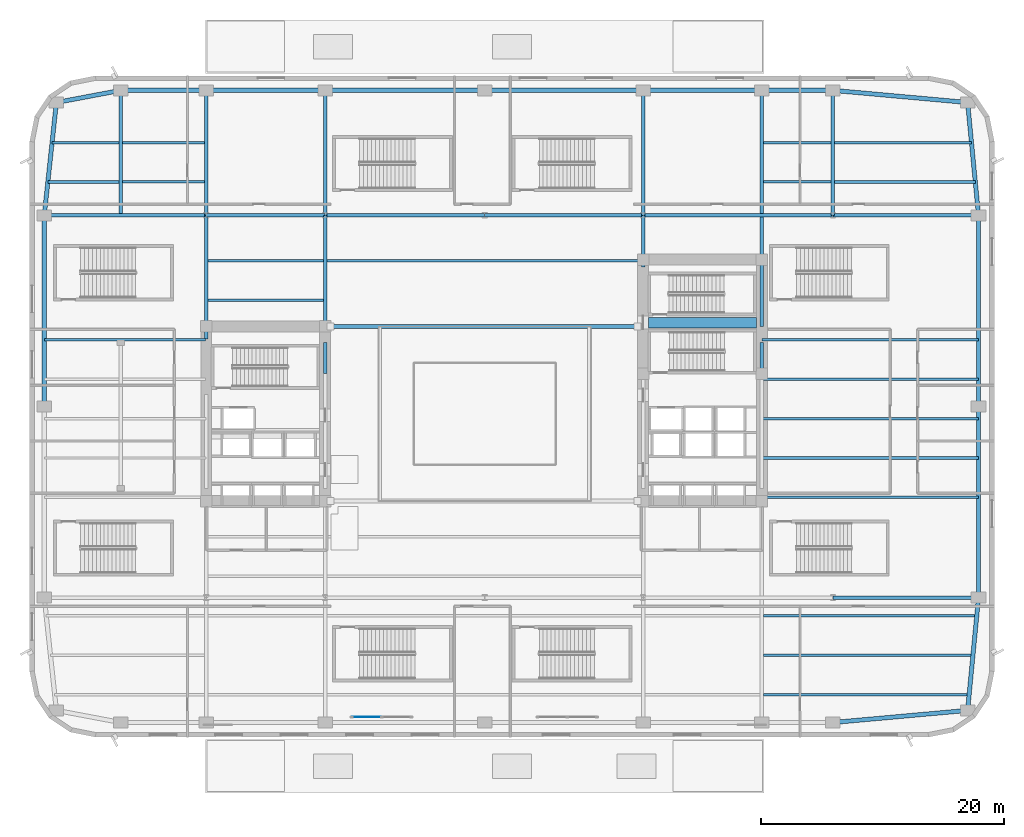
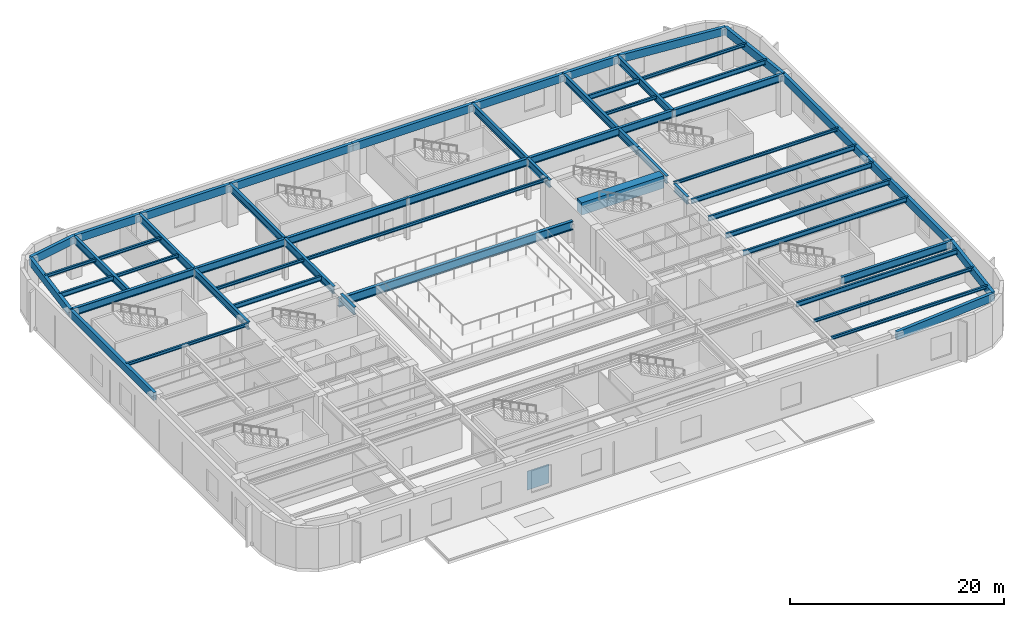
# One storey, part 4 of 24: 57 beams, 1 plate, 1 element without a shape of its own.
"""IFC4 building model written with IfcOpenShell, lengths in metres."""

from ifc_helpers import new_model, si_unit, direction, frame, origin, origin_2d, place, context, subcontext, project, spatial, rectangle, hollow_rectangle, i_section, extrude, material, layer, layer_set, material_profile, profile_set, type_object, element, aggregate, save


model = new_model("IFC4")

# Units and contexts
model_context = context("Model", 3, precision=1e-05, world=origin(), true_north=direction((0.0, 1.0)))
body_context = subcontext(model_context, "Body", "Model", "MODEL_VIEW")
ifc_project = project(units=[si_unit("LENGTHUNIT", "METRE"), si_unit("AREAUNIT", "SQUARE_METRE"), si_unit("VOLUMEUNIT", "CUBIC_METRE"), si_unit("PLANEANGLEUNIT", "RADIAN"), si_unit("MASSUNIT", "GRAM", prefix="KILO")], contexts=[model_context])

# Site, building, storey
site_placement = place(None, origin())
site = spatial("IfcSite", under=ifc_project, at=site_placement, CompositionType="ELEMENT")
building_placement = place(site_placement, origin())
building = spatial("IfcBuilding", under=site, at=building_placement, Name="Kolvaren Arena Tower", CompositionType="ELEMENT")
storey_placement = place(building_placement, frame((0.0, 0.0, 8.0)))
storey = spatial("IfcBuildingStorey", under=building, at=storey_placement, Name="L01", CompositionType="ELEMENT", Elevation=8.0)

# Beams
ifc_material_1 = material(Name="Steel CSA G40.21 350W", Category="steel")
ifc_material_profile_1 = material_profile(ifc_material_1, i_section(OverallWidth=0.2119140625, OverallDepth=0.54296875, WebThickness=0.01318359375, FlangeThickness=0.0244140625, FilletRadius=0.013916015625, at=origin_2d()), Name="W530x150")
ifc_profile_set_1 = profile_set([ifc_material_profile_1], Name="Steel CSA G40.21 350W")
beam_type_1 = type_object("IfcBeamType", Name="BEAM-F1", PredefinedType="BEAM", material=ifc_profile_set_1)
beam_1_placement = place(storey_placement, frame((60.49609375, 10.0, 4.37841796875), z_axis=(1.0, 0.0, 0.0), x_axis=(0.0, 1.0, 0.0)))
element("IfcBeam", 1, at=beam_1_placement, inside=storey, type_object=beam_type_1, Name="Composite Floor Beam (L01)", PredefinedType="BEAM", context=body_context, shape_type="SweptSolid", body=[
    extrude(i_section(OverallWidth=0.2119140625, OverallDepth=0.54296875, WebThickness=0.01318359375, FlangeThickness=0.0244140625, FilletRadius=0.013916015625, at=origin_2d()), origin(), (0.0, 0.0, 1.0), 17.55859375),
])
for number, where, z_axis, x_axis, name in (
    (2, (60.3701171875, 19.75, 4.37841796875), (1.0, 0.0, 0.0), (0.0, 1.0, 0.0), "Composite Floor Beam (L01)"),
    (3, (60.3701171875, 23.0, 4.37841796875), (1.0, 0.0, 0.0), (0.0, 1.0, 0.0), "Composite Floor Beam (L01)"),
    (4, (60.3701171875, 26.25, 4.37841796875), (1.0, 0.0, 0.0), (0.0, 1.0, 0.0), "Composite Floor Beam (L01)"),
    (5, (60.3701171875, 29.5, 4.37841796875), (1.0, 0.0, 0.0), (0.0, 1.0, 0.0), "Composite Floor Beam (L01)"),
):
    element("IfcBeam", number, at=place(storey_placement, frame(where, z_axis=z_axis, x_axis=x_axis)), inside=storey, type_object=beam_type_1, Name=name, PredefinedType="BEAM", context=body_context, shape_type="SweptSolid", body=[
        extrude(i_section(OverallWidth=0.2119140625, OverallDepth=0.54296875, WebThickness=0.01318359375, FlangeThickness=0.0244140625, FilletRadius=0.013916015625, at=origin_2d()), origin(), (0.0, 0.0, 1.0), 17.829833984375),
    ])
beam_2_placement = place(storey_placement, frame((14.696044921875, 36.0, 4.37841796875), z_axis=(1.0, 0.0, 0.0), x_axis=(0.0, 1.0, 0.0)))
element("IfcBeam", 6, at=beam_2_placement, inside=storey, type_object=beam_type_1, Name="Composite Floor Beam (L01)", PredefinedType="BEAM", context=body_context, shape_type="SweptSolid", body=[
    extrude(i_section(OverallWidth=0.2119140625, OverallDepth=0.54296875, WebThickness=0.01318359375, FlangeThickness=0.0244140625, FilletRadius=0.013916015625, at=origin_2d()), origin(), (0.0, 0.0, 1.0), 9.508056640625),
])
beam_3_placement = place(storey_placement, frame((1.49560546875, 45.75, 4.37841796875), z_axis=(1.0, 0.0, 0.0), x_axis=(0.0, 1.0, 0.0)))
element("IfcBeam", 7, at=beam_3_placement, inside=storey, type_object=beam_type_1, Name="Composite Floor Beam (L01)", PredefinedType="BEAM", context=body_context, shape_type="SweptSolid", body=[
    extrude(i_section(OverallWidth=0.2119140625, OverallDepth=0.54296875, WebThickness=0.01318359375, FlangeThickness=0.0244140625, FilletRadius=0.013916015625, at=origin_2d()), origin(), (0.0, 0.0, 1.0), 5.8583984375),
])
beam_4_placement = place(storey_placement, frame((66.345947265625, 45.75, 4.37841796875), z_axis=(1.0, 0.0, 0.0), x_axis=(0.0, 1.0, 0.0)))
element("IfcBeam", 8, at=beam_4_placement, inside=storey, type_object=beam_type_1, Name="Composite Floor Beam (L01)", PredefinedType="BEAM", context=body_context, shape_type="SweptSolid", body=[
    extrude(i_section(OverallWidth=0.2119140625, OverallDepth=0.54296875, WebThickness=0.01318359375, FlangeThickness=0.0244140625, FilletRadius=0.013916015625, at=origin_2d()), origin(), (0.0, 0.0, 1.0), 11.587890625),
])
beam_5_placement = place(storey_placement, frame((60.49609375, 49.0, 4.37841796875), z_axis=(1.0, 0.0, 0.0), x_axis=(0.0, 1.0, 0.0)))
element("IfcBeam", 9, at=beam_5_placement, inside=storey, type_object=beam_type_1, Name="Composite Floor Beam (L01)", PredefinedType="BEAM", context=body_context, shape_type="SweptSolid", body=[
    extrude(i_section(OverallWidth=0.2119140625, OverallDepth=0.54296875, WebThickness=0.01318359375, FlangeThickness=0.0244140625, FilletRadius=0.013916015625, at=origin_2d()), origin(), (0.0, 0.0, 1.0), 5.557861328125),
])
ifc_material_2 = material(Name="Concrete 75 MPa", Category="concrete")
ifc_material_profile_2 = material_profile(ifc_material_2, rectangle(XDim=0.89990234375, YDim=1.39990234375, at=origin_2d()), Name="RC-900x1400")
ifc_profile_set_2 = profile_set([ifc_material_profile_2], Name="Concrete 75 MPa")
beam_type_2 = type_object("IfcBeamType", Name="CB-CORE-1", PredefinedType="BEAM", material=ifc_profile_set_2)
beam_6_placement = place(storey_placement, frame((51.0, 34.14990234375, 4.219970703125), z_axis=(1.0, 0.0, 0.0), x_axis=(0.0, 1.0, 0.0)))
element("IfcBeam", 10, at=beam_6_placement, inside=storey, type_object=beam_type_2, Name="East Core Coupling Beam (L01)", PredefinedType="BEAM", context=body_context, shape_type="SweptSolid", body=[
    extrude(rectangle(XDim=0.89990234375, YDim=1.39990234375, at=origin_2d()), origin(), (0.0, 0.0, 1.0), 8.89990234375),
])
ifc_material_profile_3 = material_profile(ifc_material_1, i_section(OverallWidth=0.2919921875, OverallDepth=0.85498046875, WebThickness=0.02099609375, FlangeThickness=0.03564453125, FilletRadius=0.01806640625, at=origin_2d()), Name="W840x299")
ifc_profile_set_3 = profile_set([ifc_material_profile_3], Name="Steel CSA G40.21 350W")
beam_type_3 = type_object("IfcBeamType", Name="GIRD-P1", PredefinedType="BEAM", material=ifc_profile_set_3)
beam_7_placement = place(storey_placement, frame((66.199951171875, 11.5, 4.222412109375), z_axis=(1.0, 0.0, 0.0), x_axis=(0.0, 1.0, 0.0)))
element("IfcBeam", 11, at=beam_7_placement, inside=storey, type_object=beam_type_3, Name="Primary Floor Girder (L01)", PredefinedType="BEAM", context=body_context, shape_type="SweptSolid", body=[
    extrude(i_section(OverallWidth=0.2919921875, OverallDepth=0.85498046875, WebThickness=0.02099609375, FlangeThickness=0.03564453125, FilletRadius=0.01806640625, at=origin_2d()), origin(), (0.0, 0.0, 1.0), 12.0),
])
beam_8_placement = place(storey_placement, frame((1.199951171875, 43.0, 4.222412109375), z_axis=(1.0, 0.0, 0.0), x_axis=(0.0, 1.0, 0.0)))
element("IfcBeam", 12, at=beam_8_placement, inside=storey, type_object=beam_type_3, Name="Primary Floor Girder (L01)", PredefinedType="BEAM", context=body_context, shape_type="SweptSolid", body=[
    extrude(i_section(OverallWidth=0.2919921875, OverallDepth=0.85498046875, WebThickness=0.02099609375, FlangeThickness=0.03564453125, FilletRadius=0.01806640625, at=origin_2d()), origin(), (0.0, 0.0, 1.0), 13.35009765625),
])
beam_9_placement = place(storey_placement, frame((14.550048828125, 43.0, 4.222412109375), z_axis=(1.0, 0.0, 0.0), x_axis=(0.0, 1.0, 0.0)))
element("IfcBeam", 13, at=beam_9_placement, inside=storey, type_object=beam_type_3, Name="Primary Floor Girder (L01)", PredefinedType="BEAM", context=body_context, shape_type="SweptSolid", body=[
    extrude(i_section(OverallWidth=0.2919921875, OverallDepth=0.85498046875, WebThickness=0.02099609375, FlangeThickness=0.03564453125, FilletRadius=0.01806640625, at=origin_2d()), origin(), (0.0, 0.0, 1.0), 9.800048828125),
])
beam_10_placement = place(storey_placement, frame((24.35009765625, 43.0, 4.222412109375), z_axis=(1.0, 0.0, 0.0), x_axis=(0.0, 1.0, 0.0)))
element("IfcBeam", 14, at=beam_10_placement, inside=storey, type_object=beam_type_3, Name="Primary Floor Girder (L01)", PredefinedType="BEAM", context=body_context, shape_type="SweptSolid", body=[
    extrude(i_section(OverallWidth=0.2919921875, OverallDepth=0.85498046875, WebThickness=0.02099609375, FlangeThickness=0.03564453125, FilletRadius=0.01806640625, at=origin_2d()), origin(), (0.0, 0.0, 1.0), 13.14990234375),
])
beam_11_placement = place(storey_placement, frame((37.5, 43.0, 4.222412109375), z_axis=(1.0, 0.0, 0.0), x_axis=(0.0, 1.0, 0.0)))
element("IfcBeam", 15, at=beam_11_placement, inside=storey, type_object=beam_type_3, Name="Primary Floor Girder (L01)", PredefinedType="BEAM", context=body_context, shape_type="SweptSolid", body=[
    extrude(i_section(OverallWidth=0.2919921875, OverallDepth=0.85498046875, WebThickness=0.02099609375, FlangeThickness=0.03564453125, FilletRadius=0.01806640625, at=origin_2d()), origin(), (0.0, 0.0, 1.0), 13.050048828125),
])
beam_12_placement = place(storey_placement, frame((50.550048828125, 43.0, 4.222412109375), z_axis=(1.0, 0.0, 0.0), x_axis=(0.0, 1.0, 0.0)))
element("IfcBeam", 16, at=beam_12_placement, inside=storey, type_object=beam_type_3, Name="Primary Floor Girder (L01)", PredefinedType="BEAM", context=body_context, shape_type="SweptSolid", body=[
    extrude(i_section(OverallWidth=0.2919921875, OverallDepth=0.85498046875, WebThickness=0.02099609375, FlangeThickness=0.03564453125, FilletRadius=0.01806640625, at=origin_2d()), origin(), (0.0, 0.0, 1.0), 15.64990234375),
])
beam_13_placement = place(storey_placement, frame((66.199951171875, 43.0, 4.222412109375), z_axis=(1.0, 0.0, 0.0), x_axis=(0.0, 1.0, 0.0)))
element("IfcBeam", 17, at=beam_13_placement, inside=storey, type_object=beam_type_3, Name="Primary Floor Girder (L01)", PredefinedType="BEAM", context=body_context, shape_type="SweptSolid", body=[
    extrude(i_section(OverallWidth=0.2919921875, OverallDepth=0.85498046875, WebThickness=0.02099609375, FlangeThickness=0.03564453125, FilletRadius=0.01806640625, at=origin_2d()), origin(), (0.0, 0.0, 1.0), 12.0),
])
beam_14_placement = place(storey_placement, frame((7.5, 43.14599609375, 4.222412109375), z_axis=(0.0, 1.0, 0.0), x_axis=(-1.0, 0.0, 0.0)))
element("IfcBeam", 18, at=beam_14_placement, inside=storey, type_object=beam_type_3, Name="Primary Floor Girder (L01)", PredefinedType="BEAM", context=body_context, shape_type="SweptSolid", body=[
    extrude(i_section(OverallWidth=0.2919921875, OverallDepth=0.85498046875, WebThickness=0.02099609375, FlangeThickness=0.03564453125, FilletRadius=0.01806640625, at=origin_2d()), origin(), (0.0, 0.0, 1.0), 10.154052734375),
])
beam_15_placement = place(storey_placement, frame((14.550048828125, 32.7900390625, 4.222412109375), z_axis=(0.0, 1.0, 0.0), x_axis=(-1.0, 0.0, 0.0)))
element("IfcBeam", 19, at=beam_15_placement, inside=storey, type_object=beam_type_3, Name="Primary Floor Girder (L01)", PredefinedType="BEAM", context=body_context, shape_type="SweptSolid", body=[
    extrude(i_section(OverallWidth=0.2919921875, OverallDepth=0.85498046875, WebThickness=0.02099609375, FlangeThickness=0.03564453125, FilletRadius=0.01806640625, at=origin_2d()), origin(), (0.0, 0.0, 1.0), 10.2099609375),
])
beam_16_placement = place(storey_placement, frame((14.550048828125, 43.0, 4.222412109375), z_axis=(0.0, 1.0, 0.0), x_axis=(-1.0, 0.0, 0.0)))
element("IfcBeam", 20, at=beam_16_placement, inside=storey, type_object=beam_type_3, Name="Primary Floor Girder (L01)", PredefinedType="BEAM", context=body_context, shape_type="SweptSolid", body=[
    extrude(i_section(OverallWidth=0.2919921875, OverallDepth=0.85498046875, WebThickness=0.02099609375, FlangeThickness=0.03564453125, FilletRadius=0.01806640625, at=origin_2d()), origin(), (0.0, 0.0, 1.0), 10.300048828125),
])
beam_17_placement = place(storey_placement, frame((24.35009765625, 29.949951171875, 4.222412109375), z_axis=(0.0, 1.0, 0.0), x_axis=(-1.0, 0.0, 0.0)))
element("IfcBeam", 21, at=beam_17_placement, inside=storey, type_object=beam_type_3, Name="Primary Floor Girder (L01)", PredefinedType="BEAM", context=body_context, shape_type="SweptSolid", body=[
    extrude(i_section(OverallWidth=0.2919921875, OverallDepth=0.85498046875, WebThickness=0.02099609375, FlangeThickness=0.03564453125, FilletRadius=0.01806640625, at=origin_2d()), origin(), (0.0, 0.0, 1.0), 2.550048828125),
])
beam_18_placement = place(storey_placement, frame((24.35009765625, 33.85009765625, 4.222412109375), z_axis=(0.0, 1.0, 0.0), x_axis=(-1.0, 0.0, 0.0)))
element("IfcBeam", 22, at=beam_18_placement, inside=storey, type_object=beam_type_3, Name="Primary Floor Girder (L01)", PredefinedType="BEAM", context=body_context, shape_type="SweptSolid", body=[
    extrude(i_section(OverallWidth=0.2919921875, OverallDepth=0.85498046875, WebThickness=0.02099609375, FlangeThickness=0.03564453125, FilletRadius=0.01806640625, at=origin_2d()), origin(), (0.0, 0.0, 1.0), 9.14990234375),
])
beam_19_placement = place(storey_placement, frame((24.35009765625, 43.0, 4.222412109375), z_axis=(0.0, 1.0, 0.0), x_axis=(-1.0, 0.0, 0.0)))
element("IfcBeam", 23, at=beam_19_placement, inside=storey, type_object=beam_type_3, Name="Primary Floor Girder (L01)", PredefinedType="BEAM", context=body_context, shape_type="SweptSolid", body=[
    extrude(i_section(OverallWidth=0.2919921875, OverallDepth=0.85498046875, WebThickness=0.02099609375, FlangeThickness=0.03564453125, FilletRadius=0.01806640625, at=origin_2d()), origin(), (0.0, 0.0, 1.0), 10.300048828125),
])
beam_20_placement = place(storey_placement, frame((50.550048828125, 38.760009765625, 4.222412109375), z_axis=(0.0, 1.0, 0.0), x_axis=(-1.0, 0.0, 0.0)))
element("IfcBeam", 24, at=beam_20_placement, inside=storey, type_object=beam_type_3, Name="Primary Floor Girder (L01)", PredefinedType="BEAM", context=body_context, shape_type="SweptSolid", body=[
    extrude(i_section(OverallWidth=0.2919921875, OverallDepth=0.85498046875, WebThickness=0.02099609375, FlangeThickness=0.03564453125, FilletRadius=0.01806640625, at=origin_2d()), origin(), (0.0, 0.0, 1.0), 4.239990234375),
])
beam_21_placement = place(storey_placement, frame((50.550048828125, 43.0, 4.222412109375), z_axis=(0.0, 1.0, 0.0), x_axis=(-1.0, 0.0, 0.0)))
element("IfcBeam", 25, at=beam_21_placement, inside=storey, type_object=beam_type_3, Name="Primary Floor Girder (L01)", PredefinedType="BEAM", context=body_context, shape_type="SweptSolid", body=[
    extrude(i_section(OverallWidth=0.2919921875, OverallDepth=0.85498046875, WebThickness=0.02099609375, FlangeThickness=0.03564453125, FilletRadius=0.01806640625, at=origin_2d()), origin(), (0.0, 0.0, 1.0), 10.300048828125),
])
beam_22_placement = place(storey_placement, frame((60.35009765625, 29.949951171875, 4.222412109375), z_axis=(0.0, 1.0, 0.0), x_axis=(-1.0, 0.0, 0.0)))
element("IfcBeam", 26, at=beam_22_placement, inside=storey, type_object=beam_type_3, Name="Primary Floor Girder (L01)", PredefinedType="BEAM", context=body_context, shape_type="SweptSolid", body=[
    extrude(i_section(OverallWidth=0.2919921875, OverallDepth=0.85498046875, WebThickness=0.02099609375, FlangeThickness=0.03564453125, FilletRadius=0.01806640625, at=origin_2d()), origin(), (0.0, 0.0, 1.0), 2.550048828125),
])
beam_23_placement = place(storey_placement, frame((60.35009765625, 33.85009765625, 4.222412109375), z_axis=(0.0, 1.0, 0.0), x_axis=(-1.0, 0.0, 0.0)))
element("IfcBeam", 27, at=beam_23_placement, inside=storey, type_object=beam_type_3, Name="Primary Floor Girder (L01)", PredefinedType="BEAM", context=body_context, shape_type="SweptSolid", body=[
    extrude(i_section(OverallWidth=0.2919921875, OverallDepth=0.85498046875, WebThickness=0.02099609375, FlangeThickness=0.03564453125, FilletRadius=0.01806640625, at=origin_2d()), origin(), (0.0, 0.0, 1.0), 5.5),
])
beam_24_placement = place(storey_placement, frame((60.35009765625, 39.35009765625, 4.222412109375), z_axis=(0.0, 1.0, 0.0), x_axis=(-1.0, 0.0, 0.0)))
element("IfcBeam", 28, at=beam_24_placement, inside=storey, type_object=beam_type_3, Name="Primary Floor Girder (L01)", PredefinedType="BEAM", context=body_context, shape_type="SweptSolid", body=[
    extrude(i_section(OverallWidth=0.2919921875, OverallDepth=0.85498046875, WebThickness=0.02099609375, FlangeThickness=0.03564453125, FilletRadius=0.01806640625, at=origin_2d()), origin(), (0.0, 0.0, 1.0), 3.50390625),
])
beam_25_placement = place(storey_placement, frame((60.35009765625, 43.14599609375, 4.222412109375), z_axis=(0.0, 1.0, 0.0), x_axis=(-1.0, 0.0, 0.0)))
element("IfcBeam", 29, at=beam_25_placement, inside=storey, type_object=beam_type_3, Name="Primary Floor Girder (L01)", PredefinedType="BEAM", context=body_context, shape_type="SweptSolid", body=[
    extrude(i_section(OverallWidth=0.2919921875, OverallDepth=0.85498046875, WebThickness=0.02099609375, FlangeThickness=0.03564453125, FilletRadius=0.01806640625, at=origin_2d()), origin(), (0.0, 0.0, 1.0), 10.154052734375),
])
beam_26_placement = place(storey_placement, frame((66.199951171875, 43.0, 4.222412109375), z_axis=(0.0, 1.0, 0.0), x_axis=(-1.0, 0.0, 0.0)))
element("IfcBeam", 30, at=beam_26_placement, inside=storey, type_object=beam_type_3, Name="Primary Floor Girder (L01)", PredefinedType="BEAM", context=body_context, shape_type="SweptSolid", body=[
    extrude(i_section(OverallWidth=0.2919921875, OverallDepth=0.85498046875, WebThickness=0.02099609375, FlangeThickness=0.03564453125, FilletRadius=0.01806640625, at=origin_2d()), origin(), (0.0, 0.0, 1.0), 10.300048828125),
])
ifc_material_profile_4 = material_profile(ifc_material_1, i_section(OverallWidth=0.202880859375, OverallDepth=0.346923828125, WebThickness=0.0078125, FlangeThickness=0.013427734375, FilletRadius=0.010986328125, at=origin_2d()), Name="W360x64")
ifc_profile_set_4 = profile_set([ifc_material_profile_4], Name="Steel CSA G40.21 350W")
beam_type_4 = type_object("IfcBeamType", Name="JOIST-01", PredefinedType="JOIST", material=ifc_profile_set_4)
beam_27_placement = place(storey_placement, frame((60.49609375, 3.5, 4.4765625), z_axis=(1.0, 0.0, 0.0), x_axis=(0.0, 1.0, 0.0)))
element("IfcBeam", 31, at=beam_27_placement, inside=storey, type_object=beam_type_4, Name="Composite Floor Joist (L01)", PredefinedType="JOIST", context=body_context, shape_type="SweptSolid", body=[
    extrude(i_section(OverallWidth=0.202880859375, OverallDepth=0.346923828125, WebThickness=0.0078125, FlangeThickness=0.013427734375, FilletRadius=0.010986328125, at=origin_2d()), origin(), (0.0, 0.0, 1.0), 16.9296875),
])
beam_28_placement = place(storey_placement, frame((60.49609375, 6.75, 4.4765625), z_axis=(1.0, 0.0, 0.0), x_axis=(0.0, 1.0, 0.0)))
element("IfcBeam", 32, at=beam_28_placement, inside=storey, type_object=beam_type_4, Name="Composite Floor Joist (L01)", PredefinedType="JOIST", context=body_context, shape_type="SweptSolid", body=[
    extrude(i_section(OverallWidth=0.202880859375, OverallDepth=0.346923828125, WebThickness=0.0078125, FlangeThickness=0.013427734375, FilletRadius=0.010986328125, at=origin_2d()), origin(), (0.0, 0.0, 1.0), 17.244140625),
])
beam_29_placement = place(storey_placement, frame((1.199951171875, 32.75, 4.4765625), z_axis=(1.0, 0.0, 0.0), x_axis=(0.0, 1.0, 0.0)))
element("IfcBeam", 33, at=beam_29_placement, inside=storey, type_object=beam_type_4, Name="Composite Floor Joist (L01)", PredefinedType="JOIST", context=body_context, shape_type="SweptSolid", body=[
    extrude(i_section(OverallWidth=0.202880859375, OverallDepth=0.346923828125, WebThickness=0.0078125, FlangeThickness=0.013427734375, FilletRadius=0.010986328125, at=origin_2d()), origin(), (0.0, 0.0, 1.0), 13.280029296875),
])
beam_30_placement = place(storey_placement, frame((60.3701171875, 32.75, 4.4765625), z_axis=(1.0, 0.0, 0.0), x_axis=(0.0, 1.0, 0.0)))
element("IfcBeam", 34, at=beam_30_placement, inside=storey, type_object=beam_type_4, Name="Composite Floor Joist (L01)", PredefinedType="JOIST", context=body_context, shape_type="SweptSolid", body=[
    extrude(i_section(OverallWidth=0.202880859375, OverallDepth=0.346923828125, WebThickness=0.0078125, FlangeThickness=0.013427734375, FilletRadius=0.010986328125, at=origin_2d()), origin(), (0.0, 0.0, 1.0), 17.829833984375),
])
beam_31_placement = place(storey_placement, frame((14.696044921875, 39.25, 4.4765625), z_axis=(1.0, 0.0, 0.0), x_axis=(0.0, 1.0, 0.0)))
element("IfcBeam", 35, at=beam_31_placement, inside=storey, type_object=beam_type_4, Name="Composite Floor Joist (L01)", PredefinedType="JOIST", context=body_context, shape_type="SweptSolid", body=[
    extrude(i_section(OverallWidth=0.202880859375, OverallDepth=0.346923828125, WebThickness=0.0078125, FlangeThickness=0.013427734375, FilletRadius=0.010986328125, at=origin_2d()), origin(), (0.0, 0.0, 1.0), 9.508056640625),
])
beam_32_placement = place(storey_placement, frame((24.49609375, 39.25, 4.4765625), z_axis=(1.0, 0.0, 0.0), x_axis=(0.0, 1.0, 0.0)))
element("IfcBeam", 36, at=beam_32_placement, inside=storey, type_object=beam_type_4, Name="Composite Floor Joist (L01)", PredefinedType="JOIST", context=body_context, shape_type="SweptSolid", body=[
    extrude(i_section(OverallWidth=0.202880859375, OverallDepth=0.346923828125, WebThickness=0.0078125, FlangeThickness=0.013427734375, FilletRadius=0.010986328125, at=origin_2d()), origin(), (0.0, 0.0, 1.0), 26.033935546875),
])
beam_33_placement = place(storey_placement, frame((7.64599609375, 45.75, 4.4765625), z_axis=(1.0, 0.0, 0.0), x_axis=(0.0, 1.0, 0.0)))
element("IfcBeam", 37, at=beam_33_placement, inside=storey, type_object=beam_type_4, Name="Composite Floor Joist (L01)", PredefinedType="JOIST", context=body_context, shape_type="SweptSolid", body=[
    extrude(i_section(OverallWidth=0.202880859375, OverallDepth=0.346923828125, WebThickness=0.0078125, FlangeThickness=0.013427734375, FilletRadius=0.010986328125, at=origin_2d()), origin(), (0.0, 0.0, 1.0), 6.758056640625),
])
beam_34_placement = place(storey_placement, frame((60.49609375, 45.75, 4.4765625), z_axis=(1.0, 0.0, 0.0), x_axis=(0.0, 1.0, 0.0)))
element("IfcBeam", 38, at=beam_34_placement, inside=storey, type_object=beam_type_4, Name="Composite Floor Joist (L01)", PredefinedType="JOIST", context=body_context, shape_type="SweptSolid", body=[
    extrude(i_section(OverallWidth=0.202880859375, OverallDepth=0.346923828125, WebThickness=0.0078125, FlangeThickness=0.013427734375, FilletRadius=0.010986328125, at=origin_2d()), origin(), (0.0, 0.0, 1.0), 5.557861328125),
])
beam_35_placement = place(storey_placement, frame((1.84521484375, 49.0, 4.4765625), z_axis=(1.0, 0.0, 0.0), x_axis=(0.0, 1.0, 0.0)))
element("IfcBeam", 39, at=beam_35_placement, inside=storey, type_object=beam_type_4, Name="Composite Floor Joist (L01)", PredefinedType="JOIST", context=body_context, shape_type="SweptSolid", body=[
    extrude(i_section(OverallWidth=0.202880859375, OverallDepth=0.346923828125, WebThickness=0.0078125, FlangeThickness=0.013427734375, FilletRadius=0.010986328125, at=origin_2d()), origin(), (0.0, 0.0, 1.0), 5.5087890625),
])
beam_36_placement = place(storey_placement, frame((7.64599609375, 49.0, 4.4765625), z_axis=(1.0, 0.0, 0.0), x_axis=(0.0, 1.0, 0.0)))
element("IfcBeam", 40, at=beam_36_placement, inside=storey, type_object=beam_type_4, Name="Composite Floor Joist (L01)", PredefinedType="JOIST", context=body_context, shape_type="SweptSolid", body=[
    extrude(i_section(OverallWidth=0.202880859375, OverallDepth=0.346923828125, WebThickness=0.0078125, FlangeThickness=0.013427734375, FilletRadius=0.010986328125, at=origin_2d()), origin(), (0.0, 0.0, 1.0), 6.758056640625),
])
beam_37_placement = place(storey_placement, frame((66.345947265625, 49.0, 4.4765625), z_axis=(1.0, 0.0, 0.0), x_axis=(0.0, 1.0, 0.0)))
element("IfcBeam", 41, at=beam_37_placement, inside=storey, type_object=beam_type_4, Name="Composite Floor Joist (L01)", PredefinedType="JOIST", context=body_context, shape_type="SweptSolid", body=[
    extrude(i_section(OverallWidth=0.202880859375, OverallDepth=0.346923828125, WebThickness=0.0078125, FlangeThickness=0.013427734375, FilletRadius=0.010986328125, at=origin_2d()), origin(), (0.0, 0.0, 1.0), 11.2734375),
])
ifc_material_profile_5 = material_profile(ifc_material_1, i_section(OverallWidth=0.323974609375, OverallDepth=1.011962890625, WebThickness=0.02685546875, FlangeThickness=0.0458984375, FilletRadius=0.02197265625, at=origin_2d()), Name="W1000x443")
ifc_profile_set_5 = profile_set([ifc_material_profile_5], Name="Steel CSA G40.21 350W")
beam_type_5 = type_object("IfcBeamType", Name="RAKER-01", PredefinedType="USERDEFINED", material=ifc_profile_set_5)
beam_38_placement = place(storey_placement, frame((24.800048828125, 33.85009765625, 2.68408203125), z_axis=(1.0, 0.0, 0.0), x_axis=(0.0, 1.0, 0.0)))
element("IfcBeam", 42, at=beam_38_placement, inside=storey, type_object=beam_type_5, Name="Arena Bowl Raker Girder (L01 N)", ObjectType="RAKER GIRDER", PredefinedType="USERDEFINED", context=body_context, shape_type="SweptSolid", body=[
    extrude(i_section(OverallWidth=0.323974609375, OverallDepth=1.011962890625, WebThickness=0.02685546875, FlangeThickness=0.0458984375, FilletRadius=0.02197265625, at=origin_2d()), origin(), (0.0, 0.0, 1.0), 25.300048828125),
])
ifc_material_3 = material(Name="Steel CSA G40.21 350WT", Category="steel")
ifc_material_profile_6 = material_profile(ifc_material_3, hollow_rectangle(XDim=0.35009765625, YDim=0.89990234375, WallThickness=0.02001953125, at=origin_2d()), Name="HSS 900x350x20")
ifc_profile_set_6 = profile_set([ifc_material_profile_6], Name="Steel CSA G40.21 350WT")
beam_type_6 = type_object("IfcBeamType", Name="SPAND-01", PredefinedType="SPANDREL", material=ifc_profile_set_6)
beam_39_placement = place(storey_placement, frame((66.199951171875, 1.199951171875, 4.199951171875), z_axis=(0.995966494892, 0.089725921855, 0.0), x_axis=(-0.089725921855, 0.995966494892, 0.0)))
element("IfcBeam", 43, at=beam_39_placement, inside=storey, type_object=beam_type_6, Name="Perimeter Spandrel Beam (L01)", PredefinedType="SPANDREL", context=body_context, shape_type="SweptSolid", body=[
    extrude(hollow_rectangle(XDim=0.35009765625, YDim=0.89990234375, WallThickness=0.02001953125, at=origin_2d()), origin(), (0.0, 0.0, 1.0), 11.14501953125),
])
beam_40_placement = place(storey_placement, frame((77.300048828125, 2.199951171875, 4.199951171875), z_axis=(0.09631333899, 0.995351064064, 0.0), x_axis=(-0.995351064064, 0.09631333899, 0.0)))
element("IfcBeam", 44, at=beam_40_placement, inside=storey, type_object=beam_type_6, Name="Perimeter Spandrel Beam (L01)", PredefinedType="SPANDREL", context=body_context, shape_type="SweptSolid", body=[
    extrude(hollow_rectangle(XDim=0.35009765625, YDim=0.89990234375, WallThickness=0.02001953125, at=origin_2d()), origin(), (0.0, 0.0, 1.0), 9.343505859375),
])
for number, where, z_axis, x_axis, name in (
    (45, (78.199951171875, 11.5, 4.199951171875), (0.0, 1.0, 0.0), (-1.0, 0.0, 0.0), "Perimeter Spandrel Beam (L01)"),
    (46, (78.199951171875, 27.25, 4.199951171875), (0.0, 1.0, 0.0), (-1.0, 0.0, 0.0), "Perimeter Spandrel Beam (L01)"),
):
    element("IfcBeam", number, at=place(storey_placement, frame(where, z_axis=z_axis, x_axis=x_axis)), inside=storey, type_object=beam_type_6, Name=name, PredefinedType="SPANDREL", context=body_context, shape_type="SweptSolid", body=[
        extrude(hollow_rectangle(XDim=0.35009765625, YDim=0.89990234375, WallThickness=0.02001953125, at=origin_2d()), origin(), (0.0, 0.0, 1.0), 15.75),
    ])
beam_41_placement = place(storey_placement, frame((78.199951171875, 43.0, 4.199951171875), z_axis=(-0.09631333899, 0.995351064064, 0.0), x_axis=(-0.995351064064, -0.09631333899, 0.0)))
element("IfcBeam", 47, at=beam_41_placement, inside=storey, type_object=beam_type_6, Name="Perimeter Spandrel Beam (L01)", PredefinedType="SPANDREL", context=body_context, shape_type="SweptSolid", body=[
    extrude(hollow_rectangle(XDim=0.35009765625, YDim=0.89990234375, WallThickness=0.02001953125, at=origin_2d()), origin(), (0.0, 0.0, 1.0), 9.343505859375),
])
beam_42_placement = place(storey_placement, frame((77.300048828125, 52.300048828125, 4.199951171875), z_axis=(-0.995966494892, 0.089725921855, 0.0), x_axis=(-0.089725921855, -0.995966494892, 0.0)))
element("IfcBeam", 48, at=beam_42_placement, inside=storey, type_object=beam_type_6, Name="Perimeter Spandrel Beam (L01)", PredefinedType="SPANDREL", context=body_context, shape_type="SweptSolid", body=[
    extrude(hollow_rectangle(XDim=0.35009765625, YDim=0.89990234375, WallThickness=0.02001953125, at=origin_2d()), origin(), (0.0, 0.0, 1.0), 11.14501953125),
])
beam_43_placement = place(storey_placement, frame((66.199951171875, 53.300048828125, 4.199951171875), z_axis=(-1.0, 0.0, 0.0), x_axis=(0.0, -1.0, 0.0)))
element("IfcBeam", 49, at=beam_43_placement, inside=storey, type_object=beam_type_6, Name="Perimeter Spandrel Beam (L01)", PredefinedType="SPANDREL", context=body_context, shape_type="SweptSolid", body=[
    extrude(hollow_rectangle(XDim=0.35009765625, YDim=0.89990234375, WallThickness=0.02001953125, at=origin_2d()), origin(), (0.0, 0.0, 1.0), 5.849853515625),
])
beam_44_placement = place(storey_placement, frame((60.35009765625, 53.300048828125, 4.199951171875), z_axis=(-1.0, 0.0, 0.0), x_axis=(0.0, -1.0, 0.0)))
element("IfcBeam", 50, at=beam_44_placement, inside=storey, type_object=beam_type_6, Name="Perimeter Spandrel Beam (L01)", PredefinedType="SPANDREL", context=body_context, shape_type="SweptSolid", body=[
    extrude(hollow_rectangle(XDim=0.35009765625, YDim=0.89990234375, WallThickness=0.02001953125, at=origin_2d()), origin(), (0.0, 0.0, 1.0), 9.800048828125),
])
beam_45_placement = place(storey_placement, frame((50.550048828125, 53.300048828125, 4.199951171875), z_axis=(-1.0, 0.0, 0.0), x_axis=(0.0, -1.0, 0.0)))
element("IfcBeam", 51, at=beam_45_placement, inside=storey, type_object=beam_type_6, Name="Perimeter Spandrel Beam (L01)", PredefinedType="SPANDREL", context=body_context, shape_type="SweptSolid", body=[
    extrude(hollow_rectangle(XDim=0.35009765625, YDim=0.89990234375, WallThickness=0.02001953125, at=origin_2d()), origin(), (0.0, 0.0, 1.0), 13.050048828125),
])
beam_46_placement = place(storey_placement, frame((37.5, 53.300048828125, 4.199951171875), z_axis=(-1.0, 0.0, 0.0), x_axis=(0.0, -1.0, 0.0)))
element("IfcBeam", 52, at=beam_46_placement, inside=storey, type_object=beam_type_6, Name="Perimeter Spandrel Beam (L01)", PredefinedType="SPANDREL", context=body_context, shape_type="SweptSolid", body=[
    extrude(hollow_rectangle(XDim=0.35009765625, YDim=0.89990234375, WallThickness=0.02001953125, at=origin_2d()), origin(), (0.0, 0.0, 1.0), 13.14990234375),
])
beam_47_placement = place(storey_placement, frame((24.35009765625, 53.300048828125, 4.199951171875), z_axis=(-1.0, 0.0, 0.0), x_axis=(0.0, -1.0, 0.0)))
element("IfcBeam", 53, at=beam_47_placement, inside=storey, type_object=beam_type_6, Name="Perimeter Spandrel Beam (L01)", PredefinedType="SPANDREL", context=body_context, shape_type="SweptSolid", body=[
    extrude(hollow_rectangle(XDim=0.35009765625, YDim=0.89990234375, WallThickness=0.02001953125, at=origin_2d()), origin(), (0.0, 0.0, 1.0), 9.800048828125),
])
beam_48_placement = place(storey_placement, frame((14.550048828125, 53.300048828125, 4.199951171875), z_axis=(-1.0, 0.0, 0.0), x_axis=(0.0, -1.0, 0.0)))
element("IfcBeam", 54, at=beam_48_placement, inside=storey, type_object=beam_type_6, Name="Perimeter Spandrel Beam (L01)", PredefinedType="SPANDREL", context=body_context, shape_type="SweptSolid", body=[
    extrude(hollow_rectangle(XDim=0.35009765625, YDim=0.89990234375, WallThickness=0.02001953125, at=origin_2d()), origin(), (0.0, 0.0, 1.0), 7.050048828125),
])
beam_49_placement = place(storey_placement, frame((7.5, 53.300048828125, 4.199951171875), z_axis=(-0.982661964955, -0.185406209796, 0.0), x_axis=(0.185406209796, -0.982661964955, 0.0)))
element("IfcBeam", 55, at=beam_49_placement, inside=storey, type_object=beam_type_6, Name="Perimeter Spandrel Beam (L01)", PredefinedType="SPANDREL", context=body_context, shape_type="SweptSolid", body=[
    extrude(hollow_rectangle(XDim=0.35009765625, YDim=0.89990234375, WallThickness=0.02001953125, at=origin_2d()), origin(), (0.0, 0.0, 1.0), 5.3935546875),
])
beam_50_placement = place(storey_placement, frame((2.199951171875, 52.300048828125, 4.199951171875), z_axis=(-0.106910051219, -0.994268696555, 0.0), x_axis=(0.994268696555, -0.106910051219, 0.0)))
element("IfcBeam", 56, at=beam_50_placement, inside=storey, type_object=beam_type_6, Name="Perimeter Spandrel Beam (L01)", PredefinedType="SPANDREL", context=body_context, shape_type="SweptSolid", body=[
    extrude(hollow_rectangle(XDim=0.35009765625, YDim=0.89990234375, WallThickness=0.02001953125, at=origin_2d()), origin(), (0.0, 0.0, 1.0), 9.353759765625),
])
beam_51_placement = place(storey_placement, frame((1.199951171875, 43.0, 4.199951171875), z_axis=(0.0, -1.0, 0.0), x_axis=(1.0, 0.0, 0.0)))
element("IfcBeam", 57, at=beam_51_placement, inside=storey, type_object=beam_type_6, Name="Perimeter Spandrel Beam (L01)", PredefinedType="SPANDREL", context=body_context, shape_type="SweptSolid", body=[
    extrude(hollow_rectangle(XDim=0.35009765625, YDim=0.89990234375, WallThickness=0.02001953125, at=origin_2d()), origin(), (0.0, 0.0, 1.0), 15.75),
])

# Curtain wall, plate
ifc_material_4 = material(Name="Anodised aluminium unitised curtain wall", Category="aluminium")
curtain_wall_type = type_object("IfcCurtainWallType", Name="CW-SYS-02", PredefinedType="USERDEFINED", material=ifc_material_4)
curtain_wall_placement = place(storey_placement, origin())
curtain_wall = element("IfcCurtainWall", 58, at=curtain_wall_placement, inside=storey, type_object=curtain_wall_type, Name="Arena Concourse Grand Portal Curtain Wall (L01)", ObjectType="UNITISED CURTAIN WALL", PredefinedType="USERDEFINED")
ifc_material_5 = material(Name="Laminated acoustic low-E glazing unit", Category="glass")
ifc_layer = layer(ifc_material_5, 0.052001953125)
ifc_layer_set = layer_set([ifc_layer], Name="Laminated acoustic low-E glazing unit")
plate_type = type_object("IfcPlateType", Name="CWP-VIS2", PredefinedType="CURTAIN_PANEL", material=ifc_layer_set)
plate_placement = place(storey_placement, frame((27.77490234375, 1.64990234375, 0.10009765625), z_axis=(0.0, 0.0, 1.0), x_axis=(1.0, 0.0, 0.0)))
plate = element("IfcPlate", 59, at=plate_placement, type_object=plate_type, Name="CW2 panel 1.1", PredefinedType="CURTAIN_PANEL", context=body_context, shape_type="SweptSolid", body=[
    extrude(rectangle(XDim=2.35009765625, YDim=0.052001953125, at=origin_2d()), origin(), (0.0, 0.0, 1.0), 2.175048828125),
])
aggregate(curtain_wall, [plate])

save(model, "model.ifc")
